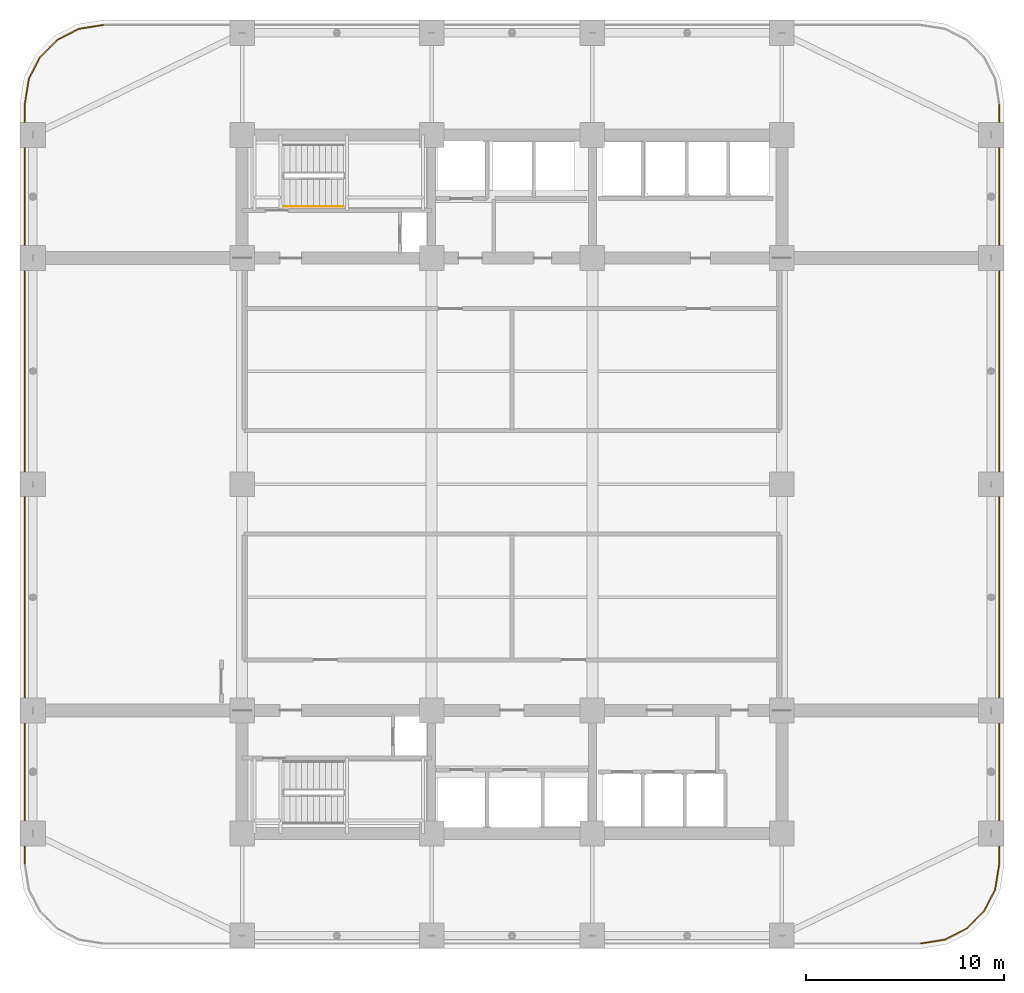
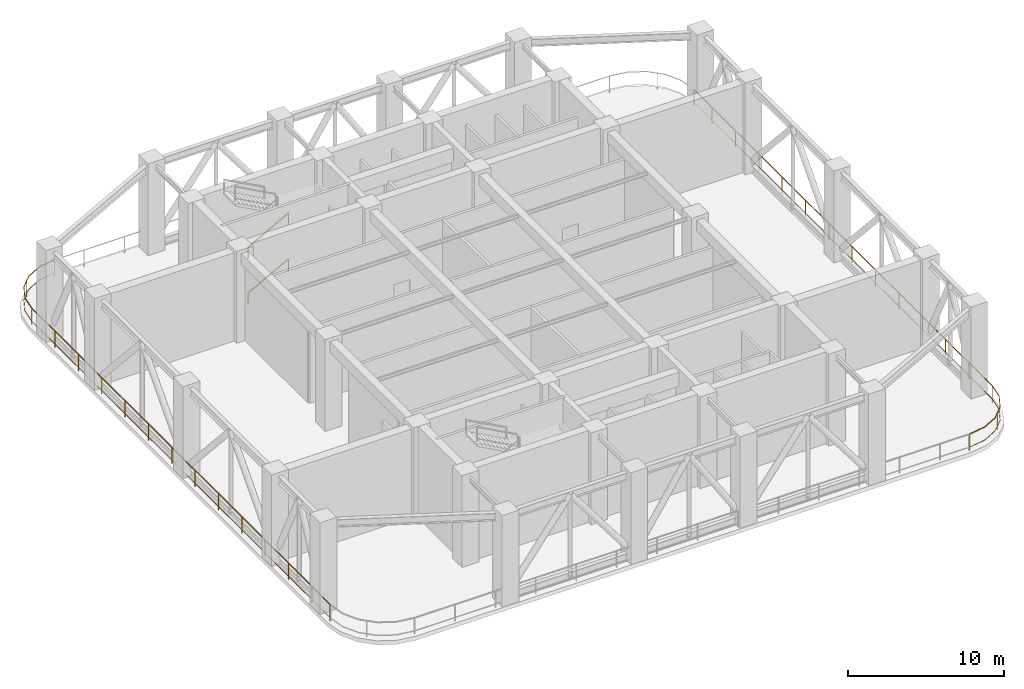
# One storey, part 19 of 20: 4 railings.
"""IFC4 building model written with IfcOpenShell, lengths in metres."""

from ifc_helpers import new_model, si_unit, direction, frame, origin, origin_2d, place, context, subcontext, project, spatial, rectangle, extrude, material, type_object, element, save


model = new_model("IFC4")

# Units and contexts
model_context = context("Model", 3, precision=1e-05, world=origin(), true_north=direction((0.0, 1.0)))
body_context = subcontext(model_context, "Body", "Model", "MODEL_VIEW")
ifc_project = project(units=[si_unit("LENGTHUNIT", "METRE"), si_unit("AREAUNIT", "SQUARE_METRE"), si_unit("VOLUMEUNIT", "CUBIC_METRE"), si_unit("PLANEANGLEUNIT", "RADIAN"), si_unit("MASSUNIT", "GRAM", prefix="KILO")], contexts=[model_context])

# Site, building, storey
site_placement = place(None, origin())
site = spatial("IfcSite", under=ifc_project, at=site_placement, CompositionType="ELEMENT")
building_placement = place(site_placement, origin())
building = spatial("IfcBuilding", under=site, at=building_placement, Name="Svetorya Sky Lyceum", CompositionType="ELEMENT")
storey_placement = place(building_placement, frame((0.0, 0.0, 76.89990234375)))
storey = spatial("IfcBuildingStorey", under=building, at=storey_placement, Name="L19", CompositionType="ELEMENT", Elevation=76.89990234375)

# Railings
ifc_material_1 = material(Name="Hot-dip galvanized wind-portal guard")
railing_type_1 = type_object("IfcRailingType", Name="RL-PRT-1300", PredefinedType="GUARDRAIL", material=ifc_material_1)
railing_1_placement = place(storey_placement, frame((59.800048828125, 5.050048828125, 0.0)))
element("IfcRailing", 1, at=railing_1_placement, inside=storey, type_object=railing_type_1, Name="L19 Wind-Portal Deck Guard Quadrant 2", PredefinedType="GUARDRAIL", context=body_context, shape_type="SweptSolid", body=[
    extrude(rectangle(XDim=0.048095703125, YDim=0.048095703125, at=origin_2d()), frame((0.0, 0.0, 1.27587890625), z_axis=(0.987681129562, 0.15647998692, 0.0), x_axis=(-0.15647998692, 0.987681129562, 0.0)), (0.0, 0.0, 1.0), 1.235595703125),
    extrude(rectangle(XDim=0.02392578125, YDim=0.02392578125, at=origin_2d()), frame((0.0, 0.0, 0.25), z_axis=(0.987681129562, 0.15647998692, 0.0), x_axis=(-0.15647998692, 0.987681129562, 0.0)), (0.0, 0.0, 1.0), 1.235595703125),
    extrude(rectangle(XDim=0.048095703125, YDim=0.048095703125, at=origin_2d()), frame((1.220458984375, 0.193359375, 1.27587890625), z_axis=(0.891044019054, 0.453916904408, 0.0), x_axis=(-0.453916904408, 0.891044019054, 0.0)), (0.0, 0.0, 1.0), 1.236083984375),
    extrude(rectangle(XDim=0.02392578125, YDim=0.02392578125, at=origin_2d()), frame((1.220458984375, 0.193359375, 0.25), z_axis=(0.891044019054, 0.453916904408, 0.0), x_axis=(-0.453916904408, 0.891044019054, 0.0)), (0.0, 0.0, 1.0), 1.236083984375),
    extrude(rectangle(XDim=0.048095703125, YDim=0.048095703125, at=origin_2d()), frame((2.32177734375, 0.75439453125, 1.27587890625), z_axis=(0.707106781187, 0.707106781187, 0.0), x_axis=(-0.707106781187, 0.707106781187, 0.0)), (0.0, 0.0, 1.0), 1.235595703125),
    extrude(rectangle(XDim=0.02392578125, YDim=0.02392578125, at=origin_2d()), frame((2.32177734375, 0.75439453125, 0.25), z_axis=(0.707106781187, 0.707106781187, 0.0), x_axis=(-0.707106781187, 0.707106781187, 0.0)), (0.0, 0.0, 1.0), 1.235595703125),
    extrude(rectangle(XDim=0.048095703125, YDim=0.048095703125, at=origin_2d()), frame((3.195556640625, 1.628173828125, 1.27587890625), z_axis=(0.453996808381, 0.891003309747, 0.0), x_axis=(-0.891003309747, 0.453996808381, 0.0)), (0.0, 0.0, 1.0), 1.23583984375),
    extrude(rectangle(XDim=0.02392578125, YDim=0.02392578125, at=origin_2d()), frame((3.195556640625, 1.628173828125, 0.25), z_axis=(0.453996808381, 0.891003309747, 0.0), x_axis=(-0.891003309747, 0.453996808381, 0.0)), (0.0, 0.0, 1.0), 1.23583984375),
    extrude(rectangle(XDim=0.048095703125, YDim=0.048095703125, at=origin_2d()), frame((3.756591796875, 2.729248046875, 1.27587890625), z_axis=(0.156449457012, 0.987685965983, 0.0), x_axis=(-0.987685965983, 0.156449457012, 0.0)), (0.0, 0.0, 1.0), 1.23583984375),
    extrude(rectangle(XDim=0.02392578125, YDim=0.02392578125, at=origin_2d()), frame((3.756591796875, 2.729248046875, 0.25), z_axis=(0.156449457012, 0.987685965983, 0.0), x_axis=(-0.987685965983, 0.156449457012, 0.0)), (0.0, 0.0, 1.0), 1.23583984375),
    extrude(rectangle(XDim=0.048095703125, YDim=0.048095703125, at=origin_2d()), frame((3.949951171875, 3.949951171875, 1.27587890625), z_axis=(0.0, 1.0, 0.0), x_axis=(-1.0, 0.0, 0.0)), (0.0, 0.0, 1.0), 38.340087890625),
    extrude(rectangle(XDim=0.02392578125, YDim=0.02392578125, at=origin_2d()), frame((3.949951171875, 3.949951171875, 0.25), z_axis=(0.0, 1.0, 0.0), x_axis=(-1.0, 0.0, 0.0)), (0.0, 0.0, 1.0), 38.340087890625),
    extrude(rectangle(XDim=0.0419921875, YDim=0.0419921875, at=origin_2d()), origin(), (0.0, 0.0, 1.0), 1.251953125),
    extrude(rectangle(XDim=0.0419921875, YDim=0.0419921875, at=origin_2d()), frame((2.6953125, 1.1279296875, 0.0)), (0.0, 0.0, 1.0), 1.251953125),
    extrude(rectangle(XDim=0.0419921875, YDim=0.0419921875, at=origin_2d()), frame((3.949951171875, 3.949951171875, 0.0)), (0.0, 0.0, 1.0), 1.251953125),
    extrude(rectangle(XDim=0.0419921875, YDim=0.0419921875, at=origin_2d()), frame((3.949951171875, 6.949951171875, 0.0)), (0.0, 0.0, 1.0), 1.251953125),
    extrude(rectangle(XDim=0.0419921875, YDim=0.0419921875, at=origin_2d()), frame((3.949951171875, 9.949951171875, 0.0)), (0.0, 0.0, 1.0), 1.251953125),
    extrude(rectangle(XDim=0.0419921875, YDim=0.0419921875, at=origin_2d()), frame((3.949951171875, 12.949951171875, 0.0)), (0.0, 0.0, 1.0), 1.251953125),
    extrude(rectangle(XDim=0.0419921875, YDim=0.0419921875, at=origin_2d()), frame((3.949951171875, 15.949951171875, 0.0)), (0.0, 0.0, 1.0), 1.251953125),
    extrude(rectangle(XDim=0.0419921875, YDim=0.0419921875, at=origin_2d()), frame((3.949951171875, 18.949951171875, 0.0)), (0.0, 0.0, 1.0), 1.251953125),
    extrude(rectangle(XDim=0.0419921875, YDim=0.0419921875, at=origin_2d()), frame((3.949951171875, 21.949951171875, 0.0)), (0.0, 0.0, 1.0), 1.251953125),
    extrude(rectangle(XDim=0.0419921875, YDim=0.0419921875, at=origin_2d()), frame((3.949951171875, 24.949951171875, 0.0)), (0.0, 0.0, 1.0), 1.251953125),
    extrude(rectangle(XDim=0.0419921875, YDim=0.0419921875, at=origin_2d()), frame((3.949951171875, 27.949951171875, 0.0)), (0.0, 0.0, 1.0), 1.251953125),
    extrude(rectangle(XDim=0.0419921875, YDim=0.0419921875, at=origin_2d()), frame((3.949951171875, 30.949951171875, 0.0)), (0.0, 0.0, 1.0), 1.251953125),
    extrude(rectangle(XDim=0.0419921875, YDim=0.0419921875, at=origin_2d()), frame((3.949951171875, 33.949951171875, 0.0)), (0.0, 0.0, 1.0), 1.251953125),
    extrude(rectangle(XDim=0.0419921875, YDim=0.0419921875, at=origin_2d()), frame((3.949951171875, 36.949951171875, 0.0)), (0.0, 0.0, 1.0), 1.251953125),
    extrude(rectangle(XDim=0.0419921875, YDim=0.0419921875, at=origin_2d()), frame((3.949951171875, 39.949951171875, 0.0)), (0.0, 0.0, 1.0), 1.251953125),
    extrude(rectangle(XDim=0.0419921875, YDim=0.0419921875, at=origin_2d()), frame((3.949951171875, 42.2900390625, 0.0)), (0.0, 0.0, 1.0), 1.251953125),
])
railing_2_placement = place(storey_placement, frame((18.60009765625, 51.35009765625, 0.0)))
element("IfcRailing", 2, at=railing_2_placement, inside=storey, type_object=railing_type_1, Name="L19 Wind-Portal Deck Guard Quadrant 4", PredefinedType="GUARDRAIL", context=body_context, shape_type="SweptSolid", body=[
    extrude(rectangle(XDim=0.048095703125, YDim=0.048095703125, at=origin_2d()), frame((0.0, 0.0, 1.27587890625), z_axis=(-0.987685965983, -0.156449457012, 0.0), x_axis=(0.156449457012, -0.987685965983, 0.0)), (0.0, 0.0, 1.0), 1.23583984375),
    extrude(rectangle(XDim=0.02392578125, YDim=0.02392578125, at=origin_2d()), frame((0.0, 0.0, 0.25), z_axis=(-0.987685965983, -0.156449457012, 0.0), x_axis=(0.156449457012, -0.987685965983, 0.0)), (0.0, 0.0, 1.0), 1.23583984375),
    extrude(rectangle(XDim=0.048095703125, YDim=0.048095703125, at=origin_2d()), frame((-1.220703125, -0.193359375, 1.27587890625), z_axis=(-0.891003309747, -0.453996808381, 0.0), x_axis=(0.453996808381, -0.891003309747, 0.0)), (0.0, 0.0, 1.0), 1.23583984375),
    extrude(rectangle(XDim=0.02392578125, YDim=0.02392578125, at=origin_2d()), frame((-1.220703125, -0.193359375, 0.25), z_axis=(-0.891003309747, -0.453996808381, 0.0), x_axis=(0.453996808381, -0.891003309747, 0.0)), (0.0, 0.0, 1.0), 1.23583984375),
    extrude(rectangle(XDim=0.048095703125, YDim=0.048095703125, at=origin_2d()), frame((-2.32177734375, -0.75439453125, 1.27587890625), z_axis=(-0.707106781187, -0.707106781187, 0.0), x_axis=(0.707106781187, -0.707106781187, 0.0)), (0.0, 0.0, 1.0), 1.236083984375),
    extrude(rectangle(XDim=0.02392578125, YDim=0.02392578125, at=origin_2d()), frame((-2.32177734375, -0.75439453125, 0.25), z_axis=(-0.707106781187, -0.707106781187, 0.0), x_axis=(0.707106781187, -0.707106781187, 0.0)), (0.0, 0.0, 1.0), 1.236083984375),
    extrude(rectangle(XDim=0.048095703125, YDim=0.048095703125, at=origin_2d()), frame((-3.19580078125, -1.62841796875, 1.27587890625), z_axis=(-0.453996808381, -0.891003309747, 0.0), x_axis=(0.891003309747, -0.453996808381, 0.0)), (0.0, 0.0, 1.0), 1.23583984375),
    extrude(rectangle(XDim=0.02392578125, YDim=0.02392578125, at=origin_2d()), frame((-3.19580078125, -1.62841796875, 0.25), z_axis=(-0.453996808381, -0.891003309747, 0.0), x_axis=(0.891003309747, -0.453996808381, 0.0)), (0.0, 0.0, 1.0), 1.23583984375),
    extrude(rectangle(XDim=0.048095703125, YDim=0.048095703125, at=origin_2d()), frame((-3.7568359375, -2.7294921875, 1.27587890625), z_axis=(-0.156449457012, -0.987685965983, 0.0), x_axis=(0.987685965983, -0.156449457012, 0.0)), (0.0, 0.0, 1.0), 1.23583984375),
    extrude(rectangle(XDim=0.02392578125, YDim=0.02392578125, at=origin_2d()), frame((-3.7568359375, -2.7294921875, 0.25), z_axis=(-0.156449457012, -0.987685965983, 0.0), x_axis=(0.987685965983, -0.156449457012, 0.0)), (0.0, 0.0, 1.0), 1.23583984375),
    extrude(rectangle(XDim=0.048095703125, YDim=0.048095703125, at=origin_2d()), frame((-3.9501953125, -3.9501953125, 1.27587890625), z_axis=(0.0, -1.0, 0.0), x_axis=(1.0, 0.0, 0.0)), (0.0, 0.0, 1.0), 38.33984375),
    extrude(rectangle(XDim=0.02392578125, YDim=0.02392578125, at=origin_2d()), frame((-3.9501953125, -3.9501953125, 0.25), z_axis=(0.0, -1.0, 0.0), x_axis=(1.0, 0.0, 0.0)), (0.0, 0.0, 1.0), 38.33984375),
    extrude(rectangle(XDim=0.0419921875, YDim=0.0419921875, at=origin_2d()), origin(), (0.0, 0.0, 1.0), 1.251953125),
    extrude(rectangle(XDim=0.0419921875, YDim=0.0419921875, at=origin_2d()), frame((-2.6953125, -1.1279296875, 0.0)), (0.0, 0.0, 1.0), 1.251953125),
    extrude(rectangle(XDim=0.0419921875, YDim=0.0419921875, at=origin_2d()), frame((-3.9501953125, -3.9501953125, 0.0)), (0.0, 0.0, 1.0), 1.251953125),
    extrude(rectangle(XDim=0.0419921875, YDim=0.0419921875, at=origin_2d()), frame((-3.9501953125, -6.9501953125, 0.0)), (0.0, 0.0, 1.0), 1.251953125),
    extrude(rectangle(XDim=0.0419921875, YDim=0.0419921875, at=origin_2d()), frame((-3.9501953125, -9.9501953125, 0.0)), (0.0, 0.0, 1.0), 1.251953125),
    extrude(rectangle(XDim=0.0419921875, YDim=0.0419921875, at=origin_2d()), frame((-3.9501953125, -12.9501953125, 0.0)), (0.0, 0.0, 1.0), 1.251953125),
    extrude(rectangle(XDim=0.0419921875, YDim=0.0419921875, at=origin_2d()), frame((-3.9501953125, -15.9501953125, 0.0)), (0.0, 0.0, 1.0), 1.251953125),
    extrude(rectangle(XDim=0.0419921875, YDim=0.0419921875, at=origin_2d()), frame((-3.9501953125, -18.9501953125, 0.0)), (0.0, 0.0, 1.0), 1.251953125),
    extrude(rectangle(XDim=0.0419921875, YDim=0.0419921875, at=origin_2d()), frame((-3.9501953125, -21.9501953125, 0.0)), (0.0, 0.0, 1.0), 1.251953125),
    extrude(rectangle(XDim=0.0419921875, YDim=0.0419921875, at=origin_2d()), frame((-3.9501953125, -24.9501953125, 0.0)), (0.0, 0.0, 1.0), 1.251953125),
    extrude(rectangle(XDim=0.0419921875, YDim=0.0419921875, at=origin_2d()), frame((-3.9501953125, -27.9501953125, 0.0)), (0.0, 0.0, 1.0), 1.251953125),
    extrude(rectangle(XDim=0.0419921875, YDim=0.0419921875, at=origin_2d()), frame((-3.9501953125, -30.9501953125, 0.0)), (0.0, 0.0, 1.0), 1.251953125),
    extrude(rectangle(XDim=0.0419921875, YDim=0.0419921875, at=origin_2d()), frame((-3.9501953125, -33.9501953125, 0.0)), (0.0, 0.0, 1.0), 1.251953125),
    extrude(rectangle(XDim=0.0419921875, YDim=0.0419921875, at=origin_2d()), frame((-3.9501953125, -36.9501953125, 0.0)), (0.0, 0.0, 1.0), 1.251953125),
    extrude(rectangle(XDim=0.0419921875, YDim=0.0419921875, at=origin_2d()), frame((-3.9501953125, -39.9501953125, 0.0)), (0.0, 0.0, 1.0), 1.251953125),
    extrude(rectangle(XDim=0.0419921875, YDim=0.0419921875, at=origin_2d()), frame((-3.9501953125, -42.2900390625, 0.0)), (0.0, 0.0, 1.0), 1.251953125),
])
ifc_material_2 = material(Name="Brushed stainless AISI 304 stair handrail")
railing_type_2 = type_object("IfcRailingType", Name="RL-STR-HAND-920", PredefinedType="HANDRAIL", material=ifc_material_2)
railing_3_placement = place(storey_placement, frame((27.699951171875, 42.199951171875, 0.163818359375)))
element("IfcRailing", 3, at=railing_3_placement, inside=storey, type_object=railing_type_2, Name="L19 ST-N stair handrail 1", PredefinedType="HANDRAIL", context=body_context, shape_type="SweptSolid", body=[
    extrude(rectangle(XDim=0.048095703125, YDim=0.048095703125, at=origin_2d()), frame((0.0, 0.0, 0.8759765625), z_axis=(0.877911954615, 0.0, 0.47882209634), x_axis=(0.0, 1.0, 0.0)), (0.0, 0.0, 1.0), 3.417236328125),
    extrude(rectangle(XDim=0.0419921875, YDim=0.0419921875, at=origin_2d()), origin(), (0.0, 0.0, 1.0), 0.851806640625),
    extrude(rectangle(XDim=0.0419921875, YDim=0.0419921875, at=origin_2d()), frame((3.0, 0.0, 1.63623046875)), (0.0, 0.0, 1.0), 0.851806640625),
])
railing_4_placement = place(storey_placement, frame((27.699951171875, 42.199951171875, 3.763671875)))
element("IfcRailing", 4, at=railing_4_placement, inside=storey, type_object=railing_type_2, Name="L19 ST-N stair handrail 3", PredefinedType="HANDRAIL", context=body_context, shape_type="SweptSolid", body=[
    extrude(rectangle(XDim=0.048095703125, YDim=0.048095703125, at=origin_2d()), frame((0.0, 0.0, 0.8759765625), z_axis=(0.877881921179, 0.0, 0.478877158013), x_axis=(0.0, 1.0, 0.0)), (0.0, 0.0, 1.0), 3.417236328125),
    extrude(rectangle(XDim=0.0419921875, YDim=0.0419921875, at=origin_2d()), origin(), (0.0, 0.0, 1.0), 0.851806640625),
    extrude(rectangle(XDim=0.0419921875, YDim=0.0419921875, at=origin_2d()), frame((3.0, 0.0, 1.636474609375)), (0.0, 0.0, 1.0), 0.851806640625),
])

save(model, "model.ifc")
